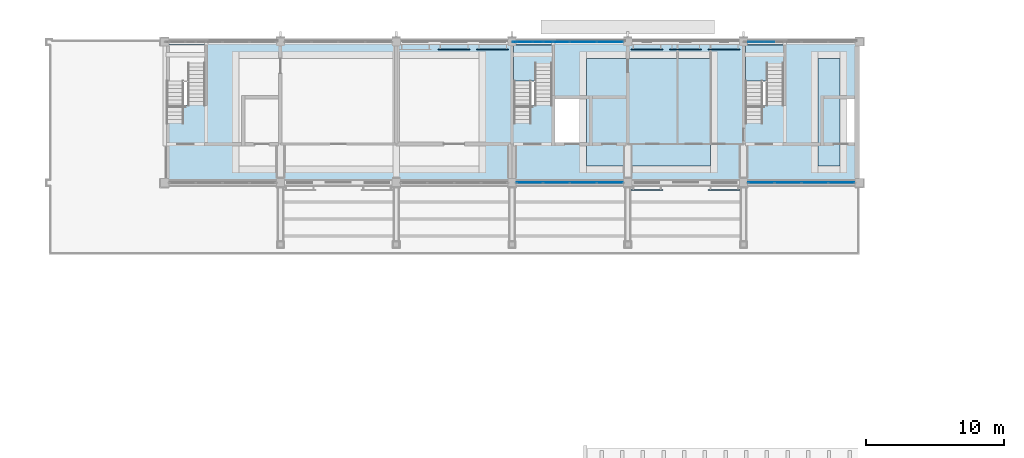
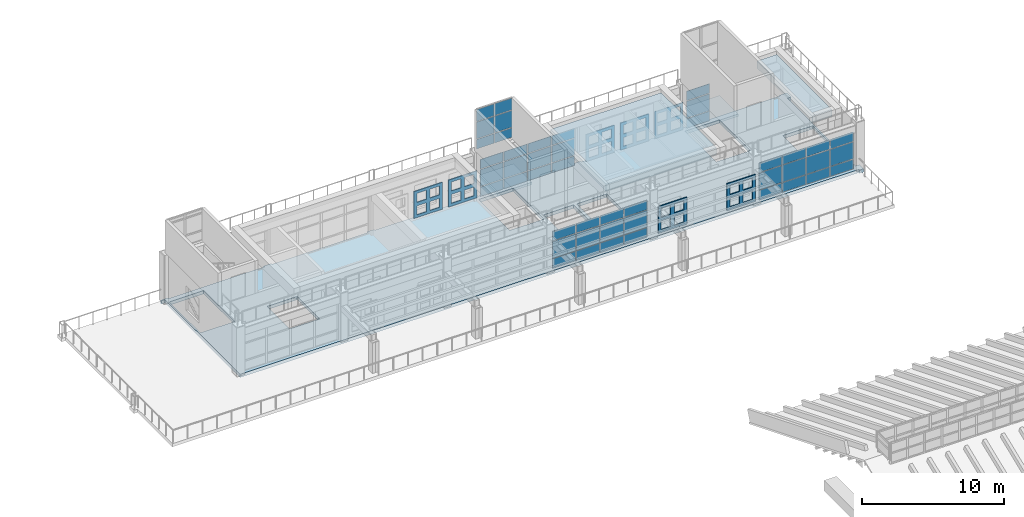
# One storey, part 52 of 105: 52 plates, 5 slabs, 7 elements without a shape of their own.
"""IFC4 building model written with IfcOpenShell, lengths in metres."""

from ifc_helpers import new_model, si_unit, direction, frame, origin, origin_2d, place, context, subcontext, project, spatial, polyline, rectangle, outline, extrude, material, layer, layer_set, material_profile, profile_set, type_object, element, aggregate, save


model = new_model("IFC4")

# Units and contexts
model_context = context("Model", 3, precision=1e-05, world=origin(), true_north=direction((0.0, 1.0)))
body_context = subcontext(model_context, "Body", "Model", "MODEL_VIEW")
ifc_project = project(units=[si_unit("LENGTHUNIT", "METRE"), si_unit("AREAUNIT", "SQUARE_METRE"), si_unit("VOLUMEUNIT", "CUBIC_METRE"), si_unit("PLANEANGLEUNIT", "RADIAN"), si_unit("MASSUNIT", "GRAM", prefix="KILO")], contexts=[model_context])

# Site, building, storey
site_placement = place(None, origin())
site = spatial("IfcSite", under=ifc_project, at=site_placement, CompositionType="ELEMENT")
building_placement = place(site_placement, origin())
building = spatial("IfcBuilding", under=site, at=building_placement, Name="Wasatch Bagh Community Centre", CompositionType="ELEMENT")
storey_placement = place(building_placement, frame((0.0, 0.0, 16.800048828125)))
storey = spatial("IfcBuildingStorey", under=building, at=storey_placement, Name="L04", CompositionType="ELEMENT", Elevation=16.800048828125)

# Curtain wall, plates
ifc_material_1 = material(Name="Aluminium curtain wall frame with low-iron glass", Category="aluminium")
ifc_layer_1 = layer(ifc_material_1, 0.10009765625)
ifc_layer_set_1 = layer_set([ifc_layer_1], Name="Aluminium curtain wall frame with low-iron glass")
curtain_wall_type_1 = type_object("IfcCurtainWallType", Name="LW curtain wall 100", PredefinedType="NOTDEFINED", material=ifc_layer_set_1)
curtain_wall_1_placement = place(storey_placement, origin())
curtain_wall_1 = element("IfcCurtainWall", 1, at=curtain_wall_1_placement, inside=storey, type_object=curtain_wall_type_1, Name="Curtain wall 04.07", PredefinedType="NOTDEFINED")
ifc_material_2 = material(Name="Low-iron insulated glass", Category="glass")
ifc_layer_2 = layer(ifc_material_2, 0.028076171875)
ifc_layer_set_2 = layer_set([ifc_layer_2], Name="Low-iron insulated glass")
plate_type_1 = type_object("IfcPlateType", Name="LW curtain wall panel 28", PredefinedType="CURTAIN_PANEL", material=ifc_layer_set_2)
plate_1_placement = place(storey_placement, frame((107.2900390625, 97.800048828125, 0.059814453125), z_axis=(0.0, 0.0, 1.0), x_axis=(1.0, 0.0, 0.0)))
plate_1 = element("IfcPlate", 2, at=plate_1_placement, type_object=plate_type_1, Name="LW-CW1 panel 1.1", PredefinedType="CURTAIN_PANEL", context=body_context, shape_type="SweptSolid", body=[
    extrude(rectangle(XDim=1.860107421875, YDim=0.028076171875, at=origin_2d()), origin(), (0.0, 0.0, 1.0), 0.81005859375),
])
plate_2_placement = place(storey_placement, frame((107.2900390625, 97.800048828125, 0.929931640625), z_axis=(0.0, 0.0, 1.0), x_axis=(1.0, 0.0, 0.0)))
plate_2 = element("IfcPlate", 3, at=plate_2_placement, type_object=plate_type_1, Name="LW-CW1 panel 1.2", PredefinedType="CURTAIN_PANEL", context=body_context, shape_type="SweptSolid", body=[
    extrude(rectangle(XDim=1.860107421875, YDim=0.028076171875, at=origin_2d()), origin(), (0.0, 0.0, 1.0), 1.43994140625),
])
plate_3_placement = place(storey_placement, frame((107.2900390625, 97.800048828125, 2.429931640625), z_axis=(0.0, 0.0, 1.0), x_axis=(1.0, 0.0, 0.0)))
plate_3 = element("IfcPlate", 4, at=plate_3_placement, type_object=plate_type_1, Name="LW-CW1 panel 1.3", PredefinedType="CURTAIN_PANEL", context=body_context, shape_type="SweptSolid", body=[
    extrude(rectangle(XDim=1.860107421875, YDim=0.028076171875, at=origin_2d()), origin(), (0.0, 0.0, 1.0), 0.81005859375),
])
plate_4_placement = place(storey_placement, frame((109.22509765625, 97.800048828125, 0.059814453125), z_axis=(0.0, 0.0, 1.0), x_axis=(1.0, 0.0, 0.0)))
plate_4 = element("IfcPlate", 5, at=plate_4_placement, type_object=plate_type_1, Name="LW-CW1 panel 2.1", PredefinedType="CURTAIN_PANEL", context=body_context, shape_type="SweptSolid", body=[
    extrude(rectangle(XDim=1.889892578125, YDim=0.028076171875, at=origin_2d()), origin(), (0.0, 0.0, 1.0), 0.81005859375),
])
plate_5_placement = place(storey_placement, frame((109.22509765625, 97.800048828125, 0.929931640625), z_axis=(0.0, 0.0, 1.0), x_axis=(1.0, 0.0, 0.0)))
plate_5 = element("IfcPlate", 6, at=plate_5_placement, type_object=plate_type_1, Name="LW-CW1 panel 2.2", PredefinedType="CURTAIN_PANEL", context=body_context, shape_type="SweptSolid", body=[
    extrude(rectangle(XDim=1.889892578125, YDim=0.028076171875, at=origin_2d()), origin(), (0.0, 0.0, 1.0), 1.43994140625),
])
plate_6_placement = place(storey_placement, frame((109.22509765625, 97.800048828125, 2.429931640625), z_axis=(0.0, 0.0, 1.0), x_axis=(1.0, 0.0, 0.0)))
plate_6 = element("IfcPlate", 7, at=plate_6_placement, type_object=plate_type_1, Name="LW-CW1 panel 2.3", PredefinedType="CURTAIN_PANEL", context=body_context, shape_type="SweptSolid", body=[
    extrude(rectangle(XDim=1.889892578125, YDim=0.028076171875, at=origin_2d()), origin(), (0.0, 0.0, 1.0), 0.81005859375),
])
plate_7_placement = place(storey_placement, frame((111.175048828125, 97.800048828125, 0.059814453125), z_axis=(0.0, 0.0, 1.0), x_axis=(1.0, 0.0, 0.0)))
plate_7 = element("IfcPlate", 8, at=plate_7_placement, type_object=plate_type_1, Name="LW-CW1 panel 3.1", PredefinedType="CURTAIN_PANEL", context=body_context, shape_type="SweptSolid", body=[
    extrude(rectangle(XDim=1.889892578125, YDim=0.028076171875, at=origin_2d()), origin(), (0.0, 0.0, 1.0), 0.81005859375),
])
plate_8_placement = place(storey_placement, frame((111.175048828125, 97.800048828125, 0.929931640625), z_axis=(0.0, 0.0, 1.0), x_axis=(1.0, 0.0, 0.0)))
plate_8 = element("IfcPlate", 9, at=plate_8_placement, type_object=plate_type_1, Name="LW-CW1 panel 3.2", PredefinedType="CURTAIN_PANEL", context=body_context, shape_type="SweptSolid", body=[
    extrude(rectangle(XDim=1.889892578125, YDim=0.028076171875, at=origin_2d()), origin(), (0.0, 0.0, 1.0), 1.43994140625),
])
plate_9_placement = place(storey_placement, frame((111.175048828125, 97.800048828125, 2.429931640625), z_axis=(0.0, 0.0, 1.0), x_axis=(1.0, 0.0, 0.0)))
plate_9 = element("IfcPlate", 10, at=plate_9_placement, type_object=plate_type_1, Name="LW-CW1 panel 3.3", PredefinedType="CURTAIN_PANEL", context=body_context, shape_type="SweptSolid", body=[
    extrude(rectangle(XDim=1.889892578125, YDim=0.028076171875, at=origin_2d()), origin(), (0.0, 0.0, 1.0), 0.81005859375),
])
plate_10_placement = place(storey_placement, frame((113.110107421875, 97.800048828125, 0.059814453125), z_axis=(0.0, 0.0, 1.0), x_axis=(1.0, 0.0, 0.0)))
plate_10 = element("IfcPlate", 11, at=plate_10_placement, type_object=plate_type_1, Name="LW-CW1 panel 4.1", PredefinedType="CURTAIN_PANEL", context=body_context, shape_type="SweptSolid", body=[
    extrude(rectangle(XDim=1.860107421875, YDim=0.028076171875, at=origin_2d()), origin(), (0.0, 0.0, 1.0), 0.81005859375),
])
plate_11_placement = place(storey_placement, frame((113.110107421875, 97.800048828125, 0.929931640625), z_axis=(0.0, 0.0, 1.0), x_axis=(1.0, 0.0, 0.0)))
plate_11 = element("IfcPlate", 12, at=plate_11_placement, type_object=plate_type_1, Name="LW-CW1 panel 4.2", PredefinedType="CURTAIN_PANEL", context=body_context, shape_type="SweptSolid", body=[
    extrude(rectangle(XDim=1.860107421875, YDim=0.028076171875, at=origin_2d()), origin(), (0.0, 0.0, 1.0), 1.43994140625),
])
plate_12_placement = place(storey_placement, frame((113.110107421875, 97.800048828125, 2.429931640625), z_axis=(0.0, 0.0, 1.0), x_axis=(1.0, 0.0, 0.0)))
plate_12 = element("IfcPlate", 13, at=plate_12_placement, type_object=plate_type_1, Name="LW-CW1 panel 4.3", PredefinedType="CURTAIN_PANEL", context=body_context, shape_type="SweptSolid", body=[
    extrude(rectangle(XDim=1.860107421875, YDim=0.028076171875, at=origin_2d()), origin(), (0.0, 0.0, 1.0), 0.81005859375),
])
aggregate(curtain_wall_1, [plate_1, plate_2, plate_3, plate_4, plate_5, plate_6, plate_7, plate_8, plate_9, plate_10, plate_11, plate_12])

curtain_wall_2_placement = place(storey_placement, origin())
curtain_wall_2 = element("IfcCurtainWall", 14, at=curtain_wall_2_placement, inside=storey, type_object=curtain_wall_type_1, Name="Curtain wall 04.08", PredefinedType="NOTDEFINED")
plate_13_placement = place(storey_placement, frame((124.090087890625, 97.800048828125, 0.059814453125), z_axis=(0.0, 0.0, 1.0), x_axis=(1.0, 0.0, 0.0)))
plate_13 = element("IfcPlate", 15, at=plate_13_placement, type_object=plate_type_1, Name="LW-CW1 panel 1.1", PredefinedType="CURTAIN_PANEL", context=body_context, shape_type="SweptSolid", body=[
    extrude(rectangle(XDim=1.860107421875, YDim=0.028076171875, at=origin_2d()), origin(), (0.0, 0.0, 1.0), 0.81005859375),
])
plate_14_placement = place(storey_placement, frame((124.090087890625, 97.800048828125, 0.929931640625), z_axis=(0.0, 0.0, 1.0), x_axis=(1.0, 0.0, 0.0)))
plate_14 = element("IfcPlate", 16, at=plate_14_placement, type_object=plate_type_1, Name="LW-CW1 panel 1.2", PredefinedType="CURTAIN_PANEL", context=body_context, shape_type="SweptSolid", body=[
    extrude(rectangle(XDim=1.860107421875, YDim=0.028076171875, at=origin_2d()), origin(), (0.0, 0.0, 1.0), 1.43994140625),
])
plate_15_placement = place(storey_placement, frame((124.090087890625, 97.800048828125, 2.429931640625), z_axis=(0.0, 0.0, 1.0), x_axis=(1.0, 0.0, 0.0)))
plate_15 = element("IfcPlate", 17, at=plate_15_placement, type_object=plate_type_1, Name="LW-CW1 panel 1.3", PredefinedType="CURTAIN_PANEL", context=body_context, shape_type="SweptSolid", body=[
    extrude(rectangle(XDim=1.860107421875, YDim=0.028076171875, at=origin_2d()), origin(), (0.0, 0.0, 1.0), 0.81005859375),
])
aggregate(curtain_wall_2, [plate_13, plate_14, plate_15])

ifc_layer_3 = layer(ifc_material_1, 0.139892578125)
ifc_layer_set_3 = layer_set([ifc_layer_3], Name="Aluminium curtain wall frame with low-iron glass")
curtain_wall_type_2 = type_object("IfcCurtainWallType", Name="LW terrace front curtain wall 140", PredefinedType="NOTDEFINED", material=ifc_layer_set_3)
curtain_wall_3_placement = place(storey_placement, origin())
curtain_wall_3 = element("IfcCurtainWall", 18, at=curtain_wall_3_placement, inside=storey, type_object=curtain_wall_type_2, Name="Curtain wall 04.03", PredefinedType="NOTDEFINED")
ifc_layer_4 = layer(ifc_material_2, 0.028076171875)
ifc_layer_set_4 = layer_set([ifc_layer_4], Name="Low-iron insulated glass")
plate_type_2 = type_object("IfcPlateType", Name="LW curtain wall panel 28 LW-CW3", PredefinedType="CURTAIN_PANEL", material=ifc_layer_set_4)
plate_16_placement = place(storey_placement, frame((107.2900390625, 87.60009765625, 0.059814453125), z_axis=(0.0, 0.0, 1.0), x_axis=(1.0, 0.0, 0.0)))
plate_16 = element("IfcPlate", 19, at=plate_16_placement, type_object=plate_type_2, Name="LW-CW3 panel 1.1", PredefinedType="CURTAIN_PANEL", context=body_context, shape_type="SweptSolid", body=[
    extrude(rectangle(XDim=1.860107421875, YDim=0.028076171875, at=origin_2d()), origin(), (0.0, 0.0, 1.0), 0.81005859375),
])
plate_17_placement = place(storey_placement, frame((107.2900390625, 87.60009765625, 0.929931640625), z_axis=(0.0, 0.0, 1.0), x_axis=(1.0, 0.0, 0.0)))
plate_17 = element("IfcPlate", 20, at=plate_17_placement, type_object=plate_type_2, Name="LW-CW3 panel 1.2", PredefinedType="CURTAIN_PANEL", context=body_context, shape_type="SweptSolid", body=[
    extrude(rectangle(XDim=1.860107421875, YDim=0.028076171875, at=origin_2d()), origin(), (0.0, 0.0, 1.0), 1.43994140625),
])
plate_18_placement = place(storey_placement, frame((107.2900390625, 87.60009765625, 2.429931640625), z_axis=(0.0, 0.0, 1.0), x_axis=(1.0, 0.0, 0.0)))
plate_18 = element("IfcPlate", 21, at=plate_18_placement, type_object=plate_type_2, Name="LW-CW3 panel 1.3", PredefinedType="CURTAIN_PANEL", context=body_context, shape_type="SweptSolid", body=[
    extrude(rectangle(XDim=1.860107421875, YDim=0.028076171875, at=origin_2d()), origin(), (0.0, 0.0, 1.0), 0.81005859375),
])
plate_19_placement = place(storey_placement, frame((109.22509765625, 87.60009765625, 0.059814453125), z_axis=(0.0, 0.0, 1.0), x_axis=(1.0, 0.0, 0.0)))
plate_19 = element("IfcPlate", 22, at=plate_19_placement, type_object=plate_type_2, Name="LW-CW3 panel 2.1", PredefinedType="CURTAIN_PANEL", context=body_context, shape_type="SweptSolid", body=[
    extrude(rectangle(XDim=1.889892578125, YDim=0.028076171875, at=origin_2d()), origin(), (0.0, 0.0, 1.0), 0.81005859375),
])
plate_20_placement = place(storey_placement, frame((109.22509765625, 87.60009765625, 0.929931640625), z_axis=(0.0, 0.0, 1.0), x_axis=(1.0, 0.0, 0.0)))
plate_20 = element("IfcPlate", 23, at=plate_20_placement, type_object=plate_type_2, Name="LW-CW3 panel 2.2", PredefinedType="CURTAIN_PANEL", context=body_context, shape_type="SweptSolid", body=[
    extrude(rectangle(XDim=1.889892578125, YDim=0.028076171875, at=origin_2d()), origin(), (0.0, 0.0, 1.0), 1.43994140625),
])
plate_21_placement = place(storey_placement, frame((109.22509765625, 87.60009765625, 2.429931640625), z_axis=(0.0, 0.0, 1.0), x_axis=(1.0, 0.0, 0.0)))
plate_21 = element("IfcPlate", 24, at=plate_21_placement, type_object=plate_type_2, Name="LW-CW3 panel 2.3", PredefinedType="CURTAIN_PANEL", context=body_context, shape_type="SweptSolid", body=[
    extrude(rectangle(XDim=1.889892578125, YDim=0.028076171875, at=origin_2d()), origin(), (0.0, 0.0, 1.0), 0.81005859375),
])
plate_22_placement = place(storey_placement, frame((111.175048828125, 87.60009765625, 0.059814453125), z_axis=(0.0, 0.0, 1.0), x_axis=(1.0, 0.0, 0.0)))
plate_22 = element("IfcPlate", 25, at=plate_22_placement, type_object=plate_type_2, Name="LW-CW3 panel 3.1", PredefinedType="CURTAIN_PANEL", context=body_context, shape_type="SweptSolid", body=[
    extrude(rectangle(XDim=1.889892578125, YDim=0.028076171875, at=origin_2d()), origin(), (0.0, 0.0, 1.0), 0.81005859375),
])
plate_23_placement = place(storey_placement, frame((111.175048828125, 87.60009765625, 0.929931640625), z_axis=(0.0, 0.0, 1.0), x_axis=(1.0, 0.0, 0.0)))
plate_23 = element("IfcPlate", 26, at=plate_23_placement, type_object=plate_type_2, Name="LW-CW3 panel 3.2", PredefinedType="CURTAIN_PANEL", context=body_context, shape_type="SweptSolid", body=[
    extrude(rectangle(XDim=1.889892578125, YDim=0.028076171875, at=origin_2d()), origin(), (0.0, 0.0, 1.0), 1.43994140625),
])
plate_24_placement = place(storey_placement, frame((111.175048828125, 87.60009765625, 2.429931640625), z_axis=(0.0, 0.0, 1.0), x_axis=(1.0, 0.0, 0.0)))
plate_24 = element("IfcPlate", 27, at=plate_24_placement, type_object=plate_type_2, Name="LW-CW3 panel 3.3", PredefinedType="CURTAIN_PANEL", context=body_context, shape_type="SweptSolid", body=[
    extrude(rectangle(XDim=1.889892578125, YDim=0.028076171875, at=origin_2d()), origin(), (0.0, 0.0, 1.0), 0.81005859375),
])
plate_25_placement = place(storey_placement, frame((113.110107421875, 87.60009765625, 0.059814453125), z_axis=(0.0, 0.0, 1.0), x_axis=(1.0, 0.0, 0.0)))
plate_25 = element("IfcPlate", 28, at=plate_25_placement, type_object=plate_type_2, Name="LW-CW3 panel 4.1", PredefinedType="CURTAIN_PANEL", context=body_context, shape_type="SweptSolid", body=[
    extrude(rectangle(XDim=1.860107421875, YDim=0.028076171875, at=origin_2d()), origin(), (0.0, 0.0, 1.0), 0.81005859375),
])
plate_26_placement = place(storey_placement, frame((113.110107421875, 87.60009765625, 0.929931640625), z_axis=(0.0, 0.0, 1.0), x_axis=(1.0, 0.0, 0.0)))
plate_26 = element("IfcPlate", 29, at=plate_26_placement, type_object=plate_type_2, Name="LW-CW3 panel 4.2", PredefinedType="CURTAIN_PANEL", context=body_context, shape_type="SweptSolid", body=[
    extrude(rectangle(XDim=1.860107421875, YDim=0.028076171875, at=origin_2d()), origin(), (0.0, 0.0, 1.0), 1.43994140625),
])
plate_27_placement = place(storey_placement, frame((113.110107421875, 87.60009765625, 2.429931640625), z_axis=(0.0, 0.0, 1.0), x_axis=(1.0, 0.0, 0.0)))
plate_27 = element("IfcPlate", 30, at=plate_27_placement, type_object=plate_type_2, Name="LW-CW3 panel 4.3", PredefinedType="CURTAIN_PANEL", context=body_context, shape_type="SweptSolid", body=[
    extrude(rectangle(XDim=1.860107421875, YDim=0.028076171875, at=origin_2d()), origin(), (0.0, 0.0, 1.0), 0.81005859375),
])
aggregate(curtain_wall_3, [plate_16, plate_17, plate_18, plate_19, plate_20, plate_21, plate_22, plate_23, plate_24, plate_25, plate_26, plate_27])

curtain_wall_4_placement = place(storey_placement, origin())
curtain_wall_4 = element("IfcCurtainWall", 31, at=curtain_wall_4_placement, inside=storey, type_object=curtain_wall_type_2, Name="Curtain wall 04.04", PredefinedType="NOTDEFINED")
plate_28_placement = place(storey_placement, frame((124.090087890625, 87.60009765625, 0.059814453125), z_axis=(0.0, 0.0, 1.0), x_axis=(1.0, 0.0, 0.0)))
plate_28 = element("IfcPlate", 32, at=plate_28_placement, type_object=plate_type_2, Name="LW-CW3 panel 1.1", PredefinedType="CURTAIN_PANEL", context=body_context, shape_type="SweptSolid", body=[
    extrude(rectangle(XDim=1.860107421875, YDim=0.028076171875, at=origin_2d()), origin(), (0.0, 0.0, 1.0), 0.81005859375),
])
plate_29_placement = place(storey_placement, frame((124.090087890625, 87.60009765625, 0.929931640625), z_axis=(0.0, 0.0, 1.0), x_axis=(1.0, 0.0, 0.0)))
plate_29 = element("IfcPlate", 33, at=plate_29_placement, type_object=plate_type_2, Name="LW-CW3 panel 1.2", PredefinedType="CURTAIN_PANEL", context=body_context, shape_type="SweptSolid", body=[
    extrude(rectangle(XDim=1.860107421875, YDim=0.028076171875, at=origin_2d()), origin(), (0.0, 0.0, 1.0), 1.43994140625),
])
plate_30_placement = place(storey_placement, frame((124.090087890625, 87.60009765625, 2.429931640625), z_axis=(0.0, 0.0, 1.0), x_axis=(1.0, 0.0, 0.0)))
plate_30 = element("IfcPlate", 34, at=plate_30_placement, type_object=plate_type_2, Name="LW-CW3 panel 1.3", PredefinedType="CURTAIN_PANEL", context=body_context, shape_type="SweptSolid", body=[
    extrude(rectangle(XDim=1.860107421875, YDim=0.028076171875, at=origin_2d()), origin(), (0.0, 0.0, 1.0), 0.81005859375),
])
plate_31_placement = place(storey_placement, frame((126.02490234375, 87.60009765625, 0.059814453125), z_axis=(0.0, 0.0, 1.0), x_axis=(1.0, 0.0, 0.0)))
plate_31 = element("IfcPlate", 35, at=plate_31_placement, type_object=plate_type_2, Name="LW-CW3 panel 2.1", PredefinedType="CURTAIN_PANEL", context=body_context, shape_type="SweptSolid", body=[
    extrude(rectangle(XDim=1.889892578125, YDim=0.028076171875, at=origin_2d()), origin(), (0.0, 0.0, 1.0), 0.81005859375),
])
plate_32_placement = place(storey_placement, frame((126.02490234375, 87.60009765625, 0.929931640625), z_axis=(0.0, 0.0, 1.0), x_axis=(1.0, 0.0, 0.0)))
plate_32 = element("IfcPlate", 36, at=plate_32_placement, type_object=plate_type_2, Name="LW-CW3 panel 2.2", PredefinedType="CURTAIN_PANEL", context=body_context, shape_type="SweptSolid", body=[
    extrude(rectangle(XDim=1.889892578125, YDim=0.028076171875, at=origin_2d()), origin(), (0.0, 0.0, 1.0), 1.43994140625),
])
plate_33_placement = place(storey_placement, frame((126.02490234375, 87.60009765625, 2.429931640625), z_axis=(0.0, 0.0, 1.0), x_axis=(1.0, 0.0, 0.0)))
plate_33 = element("IfcPlate", 37, at=plate_33_placement, type_object=plate_type_2, Name="LW-CW3 panel 2.3", PredefinedType="CURTAIN_PANEL", context=body_context, shape_type="SweptSolid", body=[
    extrude(rectangle(XDim=1.889892578125, YDim=0.028076171875, at=origin_2d()), origin(), (0.0, 0.0, 1.0), 0.81005859375),
])
plate_34_placement = place(storey_placement, frame((127.97509765625, 87.60009765625, 0.059814453125), z_axis=(0.0, 0.0, 1.0), x_axis=(1.0, 0.0, 0.0)))
plate_34 = element("IfcPlate", 38, at=plate_34_placement, type_object=plate_type_2, Name="LW-CW3 panel 3.1", PredefinedType="CURTAIN_PANEL", context=body_context, shape_type="SweptSolid", body=[
    extrude(rectangle(XDim=1.889892578125, YDim=0.028076171875, at=origin_2d()), origin(), (0.0, 0.0, 1.0), 0.81005859375),
])
plate_35_placement = place(storey_placement, frame((127.97509765625, 87.60009765625, 0.929931640625), z_axis=(0.0, 0.0, 1.0), x_axis=(1.0, 0.0, 0.0)))
plate_35 = element("IfcPlate", 39, at=plate_35_placement, type_object=plate_type_2, Name="LW-CW3 panel 3.2", PredefinedType="CURTAIN_PANEL", context=body_context, shape_type="SweptSolid", body=[
    extrude(rectangle(XDim=1.889892578125, YDim=0.028076171875, at=origin_2d()), origin(), (0.0, 0.0, 1.0), 1.43994140625),
])
plate_36_placement = place(storey_placement, frame((127.97509765625, 87.60009765625, 2.429931640625), z_axis=(0.0, 0.0, 1.0), x_axis=(1.0, 0.0, 0.0)))
plate_36 = element("IfcPlate", 40, at=plate_36_placement, type_object=plate_type_2, Name="LW-CW3 panel 3.3", PredefinedType="CURTAIN_PANEL", context=body_context, shape_type="SweptSolid", body=[
    extrude(rectangle(XDim=1.889892578125, YDim=0.028076171875, at=origin_2d()), origin(), (0.0, 0.0, 1.0), 0.81005859375),
])
plate_37_placement = place(storey_placement, frame((129.909912109375, 87.60009765625, 0.059814453125), z_axis=(0.0, 0.0, 1.0), x_axis=(1.0, 0.0, 0.0)))
plate_37 = element("IfcPlate", 41, at=plate_37_placement, type_object=plate_type_2, Name="LW-CW3 panel 4.1", PredefinedType="CURTAIN_PANEL", context=body_context, shape_type="SweptSolid", body=[
    extrude(rectangle(XDim=1.860107421875, YDim=0.028076171875, at=origin_2d()), origin(), (0.0, 0.0, 1.0), 0.81005859375),
])
plate_38_placement = place(storey_placement, frame((129.909912109375, 87.60009765625, 0.929931640625), z_axis=(0.0, 0.0, 1.0), x_axis=(1.0, 0.0, 0.0)))
plate_38 = element("IfcPlate", 42, at=plate_38_placement, type_object=plate_type_2, Name="LW-CW3 panel 4.2", PredefinedType="CURTAIN_PANEL", context=body_context, shape_type="SweptSolid", body=[
    extrude(rectangle(XDim=1.860107421875, YDim=0.028076171875, at=origin_2d()), origin(), (0.0, 0.0, 1.0), 1.43994140625),
])
plate_39_placement = place(storey_placement, frame((129.909912109375, 87.60009765625, 2.429931640625), z_axis=(0.0, 0.0, 1.0), x_axis=(1.0, 0.0, 0.0)))
plate_39 = element("IfcPlate", 43, at=plate_39_placement, type_object=plate_type_2, Name="LW-CW3 panel 4.3", PredefinedType="CURTAIN_PANEL", context=body_context, shape_type="SweptSolid", body=[
    extrude(rectangle(XDim=1.860107421875, YDim=0.028076171875, at=origin_2d()), origin(), (0.0, 0.0, 1.0), 0.81005859375),
])
aggregate(curtain_wall_4, [plate_28, plate_29, plate_30, plate_31, plate_32, plate_33, plate_34, plate_35, plate_36, plate_37, plate_38, plate_39])

ifc_layer_5 = layer(ifc_material_1, 0.090087890625)
ifc_layer_set_5 = layer_set([ifc_layer_5], Name="Aluminium curtain wall frame with low-iron glass")
curtain_wall_type_3 = type_object("IfcCurtainWallType", Name="LW head house curtain wall 90", PredefinedType="NOTDEFINED", material=ifc_layer_set_5)
curtain_wall_5_placement = place(storey_placement, origin())
curtain_wall_5 = element("IfcCurtainWall", 44, at=curtain_wall_5_placement, inside=storey, type_object=curtain_wall_type_3, Name="Curtain wall 04.51", PredefinedType="NOTDEFINED")
ifc_layer_6 = layer(ifc_material_2, 0.028076171875)
ifc_layer_set_6 = layer_set([ifc_layer_6], Name="Low-iron insulated glass")
plate_type_3 = type_object("IfcPlateType", Name="LW curtain wall panel 28 LW-CW5", PredefinedType="CURTAIN_PANEL", material=ifc_layer_set_6)
plate_40_placement = place(storey_placement, frame((106.764892578125, 97.800048828125, 4.260009765625), z_axis=(0.0, 0.0, 1.0), x_axis=(1.0, 0.0, 0.0)))
plate_40 = element("IfcPlate", 45, at=plate_40_placement, type_object=plate_type_3, Name="LW-CW5 panel 1.1", PredefinedType="CURTAIN_PANEL", context=body_context, shape_type="SweptSolid", body=[
    extrude(rectangle(XDim=1.409912109375, YDim=0.028076171875, at=origin_2d()), origin(), (0.0, 0.0, 1.0), 0.81005859375),
])
plate_41_placement = place(storey_placement, frame((106.764892578125, 97.800048828125, 5.1298828125), z_axis=(0.0, 0.0, 1.0), x_axis=(1.0, 0.0, 0.0)))
plate_41 = element("IfcPlate", 46, at=plate_41_placement, type_object=plate_type_3, Name="LW-CW5 panel 1.2", PredefinedType="CURTAIN_PANEL", context=body_context, shape_type="SweptSolid", body=[
    extrude(rectangle(XDim=1.409912109375, YDim=0.028076171875, at=origin_2d()), origin(), (0.0, 0.0, 1.0), 1.43994140625),
])
plate_42_placement = place(storey_placement, frame((106.764892578125, 97.800048828125, 6.6298828125), z_axis=(0.0, 0.0, 1.0), x_axis=(1.0, 0.0, 0.0)))
plate_42 = element("IfcPlate", 47, at=plate_42_placement, type_object=plate_type_3, Name="LW-CW5 panel 1.3", PredefinedType="CURTAIN_PANEL", context=body_context, shape_type="SweptSolid", body=[
    extrude(rectangle(XDim=1.409912109375, YDim=0.028076171875, at=origin_2d()), origin(), (0.0, 0.0, 1.0), 1.010009765625),
])
plate_43_placement = place(storey_placement, frame((108.235107421875, 97.800048828125, 4.260009765625), z_axis=(0.0, 0.0, 1.0), x_axis=(1.0, 0.0, 0.0)))
plate_43 = element("IfcPlate", 48, at=plate_43_placement, type_object=plate_type_3, Name="LW-CW5 panel 2.1", PredefinedType="CURTAIN_PANEL", context=body_context, shape_type="SweptSolid", body=[
    extrude(rectangle(XDim=1.409912109375, YDim=0.028076171875, at=origin_2d()), origin(), (0.0, 0.0, 1.0), 0.81005859375),
])
plate_44_placement = place(storey_placement, frame((108.235107421875, 97.800048828125, 5.1298828125), z_axis=(0.0, 0.0, 1.0), x_axis=(1.0, 0.0, 0.0)))
plate_44 = element("IfcPlate", 49, at=plate_44_placement, type_object=plate_type_3, Name="LW-CW5 panel 2.2", PredefinedType="CURTAIN_PANEL", context=body_context, shape_type="SweptSolid", body=[
    extrude(rectangle(XDim=1.409912109375, YDim=0.028076171875, at=origin_2d()), origin(), (0.0, 0.0, 1.0), 1.43994140625),
])
plate_45_placement = place(storey_placement, frame((108.235107421875, 97.800048828125, 6.6298828125), z_axis=(0.0, 0.0, 1.0), x_axis=(1.0, 0.0, 0.0)))
plate_45 = element("IfcPlate", 50, at=plate_45_placement, type_object=plate_type_3, Name="LW-CW5 panel 2.3", PredefinedType="CURTAIN_PANEL", context=body_context, shape_type="SweptSolid", body=[
    extrude(rectangle(XDim=1.409912109375, YDim=0.028076171875, at=origin_2d()), origin(), (0.0, 0.0, 1.0), 1.010009765625),
])
aggregate(curtain_wall_5, [plate_40, plate_41, plate_42, plate_43, plate_44, plate_45])

# Slab
ifc_material_3 = material(Name="Concrete C35", Category="concrete")
ifc_layer_7 = layer(ifc_material_3, 0.280029296875)
ifc_layer_set_7 = layer_set([ifc_layer_7], Name="Concrete C35")
slab_type_1 = type_object("IfcSlabType", Name="LW floor slab 280", PredefinedType="FLOOR", material=ifc_layer_set_7)
slab_1_placement = place(storey_placement, frame((0.0, 0.0, -0.280029296875)))
element("IfcSlab", 51, at=slab_1_placement, inside=storey, type_object=slab_type_1, Name="LW.slab.L04.07", PredefinedType="FLOOR", context=body_context, shape_type="SweptSolid", body=[
    extrude(outline(polyline([(131.5, 87.300048828125), (131.199951171875, 87.300048828125), (131.199951171875, 87.39990234375), (80.800048828125, 87.39990234375), (80.800048828125, 98.0), (80.5, 98.0), (80.5, 98.10009765625), (81.10009765625, 98.10009765625), (81.10009765625, 98.0), (88.89990234375, 98.0), (88.89990234375, 98.10009765625), (89.5, 98.10009765625), (89.5, 98.0), (97.300048828125, 98.0), (97.300048828125, 98.10009765625), (97.89990234375, 98.10009765625), (97.89990234375, 98.0), (105.699951171875, 98.0), (105.699951171875, 98.10009765625), (106.300048828125, 98.10009765625), (106.300048828125, 98.0), (114.10009765625, 98.0), (114.10009765625, 98.10009765625), (114.699951171875, 98.10009765625), (114.699951171875, 98.0), (122.5, 98.0), (122.5, 98.10009765625), (123.10009765625, 98.10009765625), (123.10009765625, 98.0), (130.89990234375, 98.0), (130.89990234375, 98.10009765625), (131.5, 98.10009765625), (131.5, 97.5), (131.199951171875, 97.5), (131.199951171875, 87.89990234375), (131.5, 87.89990234375), (131.5, 87.300048828125)]), holes=[polyline([(86.625, 93.675048828125), (89.074951171875, 93.675048828125), (89.074951171875, 90.52490234375), (86.625, 90.52490234375), (86.625, 93.675048828125)]), polyline([(111.574951171875, 93.675048828125), (111.574951171875, 90.52490234375), (109.125, 90.52490234375), (109.125, 93.675048828125), (111.574951171875, 93.675048828125)]), polyline([(114.27490234375, 93.675048828125), (114.27490234375, 90.52490234375), (111.824951171875, 90.52490234375), (111.824951171875, 93.675048828125), (114.27490234375, 93.675048828125)]), polyline([(131.074951171875, 93.675048828125), (131.074951171875, 90.52490234375), (128.625, 90.52490234375), (128.625, 93.675048828125), (131.074951171875, 93.675048828125)]), polyline([(83.72509765625, 97.60009765625), (83.72509765625, 93.219970703125), (80.925048828125, 93.219970703125), (80.925048828125, 97.60009765625), (83.72509765625, 97.60009765625)]), polyline([(108.925048828125, 97.60009765625), (108.925048828125, 93.219970703125), (106.125, 93.219970703125), (106.125, 97.60009765625), (108.925048828125, 97.60009765625)]), polyline([(125.72509765625, 97.60009765625), (125.72509765625, 93.219970703125), (122.925048828125, 93.219970703125), (122.925048828125, 97.60009765625), (125.72509765625, 97.60009765625)])]), origin(), (0.0, 0.0, 1.0), 0.280029296875),
])

# Plates
ifc_material_4 = material(Name="Precast concrete C40/50", Category="concrete")
ifc_material_profile = material_profile(ifc_material_4, outline(polyline([(-1.159912109375, -1.159912109375), (1.159912109375, -1.159912109375), (1.159912109375, 1.159912109375), (-1.159912109375, 1.159912109375), (-1.159912109375, -1.159912109375)]), holes=[polyline([(-0.919921875, -0.919921875), (-0.14990234375, -0.919921875), (-0.14990234375, -0.14990234375), (-0.919921875, -0.14990234375), (-0.919921875, -0.919921875)]), polyline([(-0.919921875, 0.14990234375), (-0.14990234375, 0.14990234375), (-0.14990234375, 0.919921875), (-0.919921875, 0.919921875), (-0.919921875, 0.14990234375)]), polyline([(0.14990234375, -0.919921875), (0.919921875, -0.919921875), (0.919921875, -0.14990234375), (0.14990234375, -0.14990234375), (0.14990234375, -0.919921875)]), polyline([(0.14990234375, 0.14990234375), (0.919921875, 0.14990234375), (0.919921875, 0.919921875), (0.14990234375, 0.919921875), (0.14990234375, 0.14990234375)])]), Name="Jali lattice")
ifc_profile_set = profile_set([ifc_material_profile], Name="Precast concrete C40/50")
plate_type_4 = type_object("IfcPlateType", Name="LW jali panel 2320x2320", PredefinedType="SHEET", material=ifc_profile_set)
for number, where, z_axis, x_axis, name in (
    (52, (115.800048828125, 87.10009765625, 1.659912109375), (0.0, -1.0, 0.0), (1.0, 0.0, 0.0), "Jali panel"),
    (53, (121.39990234375, 87.10009765625, 1.659912109375), (0.0, -1.0, 0.0), (1.0, 0.0, 0.0), "Jali panel"),
    (54, (101.800048828125, 97.300048828125, 1.659912109375), (0.0, -1.0, 0.0), (1.0, 0.0, 0.0), "Jali panel"),
    (55, (104.60009765625, 97.300048828125, 1.659912109375), (0.0, -1.0, 0.0), (1.0, 0.0, 0.0), "Jali panel"),
    (56, (115.800048828125, 97.300048828125, 1.659912109375), (0.0, -1.0, 0.0), (1.0, 0.0, 0.0), "Jali panel"),
    (57, (118.60009765625, 97.300048828125, 1.659912109375), (0.0, -1.0, 0.0), (1.0, 0.0, 0.0), "Jali panel"),
    (58, (121.39990234375, 97.300048828125, 1.659912109375), (0.0, -1.0, 0.0), (1.0, 0.0, 0.0), "Jali panel"),
):
    element("IfcPlate", number, at=place(storey_placement, frame(where, z_axis=z_axis, x_axis=x_axis)), inside=storey, type_object=plate_type_4, Name=name, PredefinedType="SHEET", context=body_context, shape_type="SweptSolid", body=[
        extrude(outline(polyline([(-1.159912109375, -1.159912109375), (1.159912109375, -1.159912109375), (1.159912109375, 1.159912109375), (-1.159912109375, 1.159912109375), (-1.159912109375, -1.159912109375)]), holes=[polyline([(-0.919921875, -0.919921875), (-0.14990234375, -0.919921875), (-0.14990234375, -0.14990234375), (-0.919921875, -0.14990234375), (-0.919921875, -0.919921875)]), polyline([(-0.919921875, 0.14990234375), (-0.14990234375, 0.14990234375), (-0.14990234375, 0.919921875), (-0.919921875, 0.919921875), (-0.919921875, 0.14990234375)]), polyline([(0.14990234375, -0.919921875), (0.919921875, -0.919921875), (0.919921875, -0.14990234375), (0.14990234375, -0.14990234375), (0.14990234375, -0.919921875)]), polyline([(0.14990234375, 0.14990234375), (0.919921875, 0.14990234375), (0.919921875, 0.919921875), (0.14990234375, 0.919921875), (0.14990234375, 0.14990234375)])]), origin(), (0.0, 0.0, 1.0), 0.070068359375),
    ])

# Slabs
ifc_material_5 = material(Name="Planting soil over Concrete C30", Category="concrete")
ifc_layer_8 = layer(ifc_material_5, 0.60009765625)
ifc_layer_set_8 = layer_set([ifc_layer_8], Name="Planting soil over Concrete C30")
slab_type_2 = type_object("IfcSlabType", Name="LW planting bed 600", PredefinedType="FLOOR", material=ifc_layer_set_8)
slab_2_placement = place(storey_placement, frame((0.0, 0.0, 4.199951171875)))
element("IfcSlab", 59, at=slab_2_placement, inside=storey, type_object=slab_type_2, Name="Planting bed T5 (roof garden: small trees and grasses)", PredefinedType="FLOOR", context=body_context, shape_type="SweptSolid", body=[
    extrude(outline(polyline([(128.199951171875, 88.800048828125), (129.800048828125, 88.800048828125), (129.800048828125, 96.60009765625), (128.199951171875, 96.60009765625), (128.199951171875, 88.800048828125)])), origin(), (0.0, 0.0, 1.0), 0.60009765625),
])
slab_3_placement = place(storey_placement, frame((0.0, 0.0, 4.199951171875)))
element("IfcSlab", 60, at=slab_3_placement, inside=storey, type_object=slab_type_2, Name="Planting bed T5 (roof garden: small trees and grasses)", PredefinedType="FLOOR", context=body_context, shape_type="SweptSolid", body=[
    extrude(outline(polyline([(111.39990234375, 88.800048828125), (120.39990234375, 88.800048828125), (120.39990234375, 96.60009765625), (111.39990234375, 96.60009765625), (111.39990234375, 88.800048828125)])), origin(), (0.0, 0.0, 1.0), 0.60009765625),
])

# Stair, slab
stair_type = type_object("IfcStairType", Name="LW core stair", PredefinedType="HALF_TURN_STAIR", material=ifc_material_3)
stair_1_placement = place(storey_placement, origin())
stair_1 = element("IfcStair", 61, at=stair_1_placement, inside=storey, type_object=stair_type, Name="Stair Stair and Lift C2", PredefinedType="HALF_TURN_STAIR")
ifc_layer_9 = layer(ifc_material_3, 0.199951171875)
ifc_layer_set_9 = layer_set([ifc_layer_9], Name="Concrete C35")
slab_type_3 = type_object("IfcSlabType", Name="LW stair landing 200", PredefinedType="LANDING", material=ifc_layer_set_9)
slab_4_placement = place(storey_placement, frame((0.0, 0.0, 1.89990234375)))
slab_4 = element("IfcSlab", 62, at=slab_4_placement, type_object=slab_type_3, Name="ST-C2-4 landing 1", PredefinedType="LANDING", context=body_context, shape_type="SweptSolid", body=[
    extrude(outline(polyline([(106.125, 94.9599609375), (108.93505859375, 94.9599609375), (108.93505859375, 97.60009765625), (106.125, 97.60009765625), (106.125, 94.9599609375)])), origin(), (0.0, 0.0, 1.0), 0.199951171875),
])
aggregate(stair_1, [slab_4])

stair_2_placement = place(storey_placement, origin())
stair_2 = element("IfcStair", 63, at=stair_2_placement, inside=storey, type_object=stair_type, Name="Stair Stair and Lift C3", PredefinedType="HALF_TURN_STAIR")
slab_5_placement = place(storey_placement, frame((0.0, 0.0, 1.89990234375)))
slab_5 = element("IfcSlab", 64, at=slab_5_placement, type_object=slab_type_3, Name="ST-C3-4 landing 1", PredefinedType="LANDING", context=body_context, shape_type="SweptSolid", body=[
    extrude(outline(polyline([(122.925048828125, 94.9599609375), (125.735107421875, 94.9599609375), (125.735107421875, 97.60009765625), (122.925048828125, 97.60009765625), (122.925048828125, 94.9599609375)])), origin(), (0.0, 0.0, 1.0), 0.199951171875),
])
aggregate(stair_2, [slab_5])

save(model, "model.ifc")
